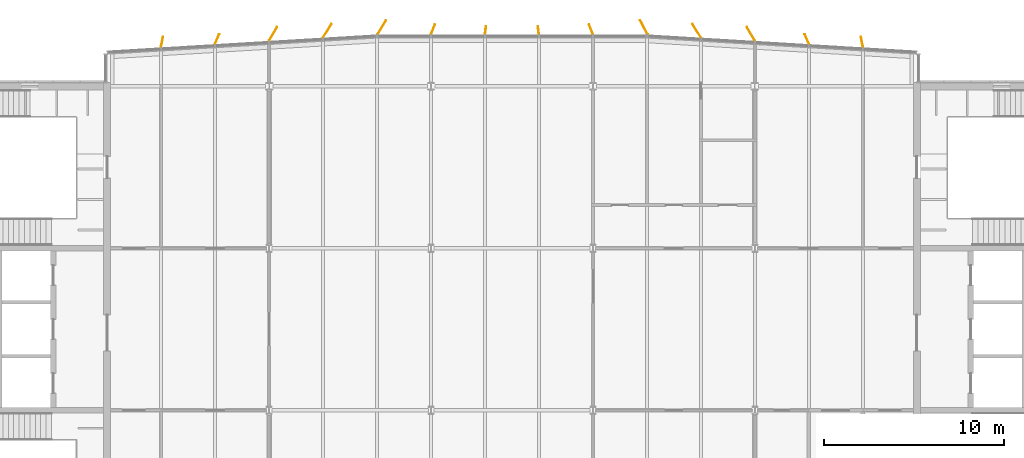
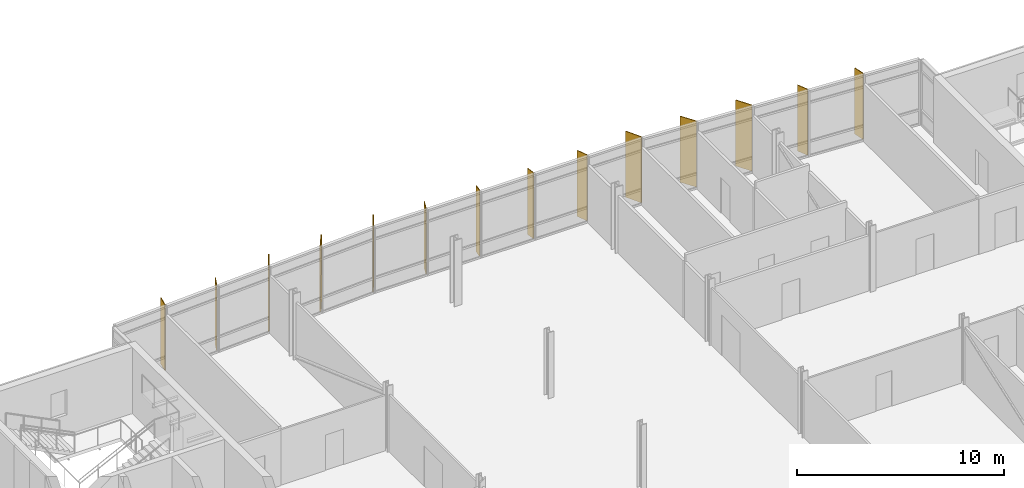
# One storey, part 18 of 18: 14 shading devices.
"""IFC4 building model written with IfcOpenShell, lengths in metres."""

import ifcopenshell
import ifcopenshell.guid

model = None  # the IFC model being written
_history = None  # IfcOwnerHistory: only IFC2X3 demands one
_inside = {}  # id of a spatial element -> (the spatial element, [elements in it])
_under = {}  # id of a project, library or spatial element -> (it, [spatial elements below it])
_declared = {}  # id of a project -> (the project, [libraries it declares])
_typed = {}  # id of a type object -> (the type object, [elements of that type])
_made_of = {}  # id of a material, layer set ... -> (it, [elements and type objects made of it])


def new_model(schema):
    """Start an empty IFC model of exactly this schema.

    Asked for "IFC4X3", IfcOpenShell would pick the latest addendum, in which some entities
    have other attributes; the version numbers below select the first issue.
    IFC2X3 requires an IfcOwnerHistory on every rooted entity: one is made here for all.
    """
    global model, _history
    if schema == "IFC4X3":
        model = ifcopenshell.file(schema_version=(4, 3, 0, 0))
    else:
        model = ifcopenshell.file(schema=schema)
    _inside.clear()
    _under.clear()
    _declared.clear()
    _typed.clear()
    _made_of.clear()
    _history = None
    if model.schema == "IFC2X3":
        org = make("IfcOrganization", Name="unknown")
        user = make(
            "IfcPersonAndOrganization",
            ThePerson=make("IfcPerson", FamilyName="unknown"),
            TheOrganization=org,
        )
        app = make(
            "IfcApplication",
            ApplicationDeveloper=org,
            Version="unknown",
            ApplicationFullName="unknown",
            ApplicationIdentifier="unknown",
        )
        _history = make(
            "IfcOwnerHistory",
            OwningUser=user,
            OwningApplication=app,
            ChangeAction="ADDED",
            CreationDate=0,
        )
    return model


def make(cls, **values):
    """One entity of the class cls with the attributes given. An attribute that is None is left unset."""
    return model.create_entity(
        cls, **{name: value for name, value in values.items() if value is not None}
    )


def rooted(cls, **values):
    """An entity with a GlobalId (a new one), such as an element, a storey or a relation."""
    return make(cls, GlobalId=ifcopenshell.guid.new(), OwnerHistory=_history, **values)


def si_unit(unit_type, name, prefix=None):
    """IfcSIUnit, for example si_unit("LENGTHUNIT", "METRE", prefix="MILLI")."""
    return make("IfcSIUnit", UnitType=unit_type, Prefix=prefix, Name=name)


def assignment(units):
    """IfcUnitAssignment: the units of a project."""
    return None if units is None else make("IfcUnitAssignment", Units=units)


def point(xyz):
    """IfcCartesianPoint."""
    return None if xyz is None else make("IfcCartesianPoint", Coordinates=xyz)


def direction(xyz):
    """IfcDirection."""
    return None if xyz is None else make("IfcDirection", DirectionRatios=xyz)


def frame(location, z_axis=None, x_axis=None):
    """IfcAxis2Placement3D, a coordinate frame: its origin and axes. An axis left out is left unset."""
    return make(
        "IfcAxis2Placement3D",
        Location=point(location),
        Axis=direction(z_axis),
        RefDirection=direction(x_axis),
    )


def frame_2d(location, x_axis=None):
    """IfcAxis2Placement2D, a coordinate frame in the plane: its origin and x axis."""
    return make(
        "IfcAxis2Placement2D", Location=point(location), RefDirection=direction(x_axis)
    )


def origin():
    """The frame at (0, 0, 0) with its axes left unset."""
    return frame((0.0, 0.0, 0.0))


def origin_2d():
    """The frame at (0, 0) in the plane with its x axis left unset."""
    return frame_2d((0.0, 0.0))


def place(relative_to, where):
    """IfcLocalPlacement: puts the frame where relative to a parent placement (None: the world)."""
    return make(
        "IfcLocalPlacement", PlacementRelTo=relative_to, RelativePlacement=where
    )


def context(
    kind, dimensions, precision=None, world=None, true_north=None, identifier=None
):
    """IfcGeometricRepresentationContext, for example the 3D "Model" context."""
    return make(
        "IfcGeometricRepresentationContext",
        ContextIdentifier=identifier,
        ContextType=kind,
        CoordinateSpaceDimension=dimensions,
        Precision=precision,
        WorldCoordinateSystem=world,
        TrueNorth=true_north,
    )


def subcontext(parent, identifier, kind, view, scale=None):
    """IfcGeometricRepresentationSubContext, for example "Body" below "Model"."""
    return make(
        "IfcGeometricRepresentationSubContext",
        ContextIdentifier=identifier,
        ContextType=kind,
        ParentContext=parent,
        TargetScale=scale,
        TargetView=view,
    )


def project(units=None, contexts=None):
    """IfcProject with its units and contexts."""
    return rooted(
        "IfcProject",
        Name="project",
        RepresentationContexts=contexts,
        UnitsInContext=assignment(units),
    )


def spatial(cls, under=None, at=None, **own):
    """A site, building, storey or space (cls), placed at a placement, below another one or the project."""
    s = rooted(cls, ObjectPlacement=at, **own)
    if under is not None:
        _under.setdefault(under.id(), (under, []))[1].append(s)
    return s


def profile(cls, at=None, kind="AREA", **sizes):
    """A parametric profile (cls). Its sizes go by their IFC names, for example OverallWidth=200.0."""
    return make(cls, ProfileType=kind, Position=at, **sizes)


def rectangle(**sizes):
    """IfcRectangleProfileDef."""
    return profile("IfcRectangleProfileDef", **sizes)


def extrude(swept, where, along, depth):
    """IfcExtrudedAreaSolid: the profile swept, set in the frame where, extruded along a direction by depth."""
    return make(
        "IfcExtrudedAreaSolid",
        SweptArea=swept,
        Position=where,
        ExtrudedDirection=direction(along),
        Depth=depth,
    )


def shape(context_of_items, identifier, shape_type, items):
    """IfcShapeRepresentation: the items that make up one representation, for example the "Body"."""
    return make(
        "IfcShapeRepresentation",
        ContextOfItems=context_of_items,
        RepresentationIdentifier=identifier,
        RepresentationType=shape_type,
        Items=items,
    )


def material(Name=None, Category=None):
    """IfcMaterial."""
    return make("IfcMaterial", Name=Name, Category=Category)


def layer(
    of_material, thickness, ventilated=None, Name=None, Category=None, Priority=None
):
    """IfcMaterialLayer: one layer of a wall or slab, of a material (None: an air gap)."""
    return make(
        "IfcMaterialLayer",
        Material=of_material,
        LayerThickness=thickness,
        IsVentilated=ventilated,
        Name=Name,
        Category=Category,
        Priority=Priority,
    )


def layer_set(layers, Name=None):
    """IfcMaterialLayerSet."""
    return make("IfcMaterialLayerSet", MaterialLayers=layers, LayerSetName=Name)


def made_of(thing, what):
    """Note that an element or type object is made of a material, layer set ...; save() writes the relation."""
    if what is not None:
        _made_of.setdefault(what.id(), (what, []))[1].append(thing)
    return thing


def type_object(cls, material=None, **own):
    """A type object (cls), such as IfcWallType, which elements share."""
    return made_of(rooted(cls, **own), material)


def element(
    cls,
    number,
    at=None,
    inside=None,
    cuts=None,
    type_object=None,
    material=None,
    context=None,
    identifier="Body",
    shape_type=None,
    held_by="IfcProductDefinitionShape",
    body=None,
    shapes=None,
    **own,
):
    """One element of the class cls, such as IfcWall. Its Tag is "e" and its number.

    at: its placement. inside: the storey or other place that contains it. cuts: it is an
    opening in that element (IfcRelVoidsElement). A single representation is given by context,
    identifier, shape_type and body (its items); several are given by shapes. held_by: the class
    of the entity that holds the representations. save() writes the other relations.
    """
    e = rooted(cls, Tag="e%d" % number, ObjectPlacement=at, **own)
    if body is not None:
        shapes = [shape(context, identifier, shape_type, body)]
    if shapes is not None:
        e.Representation = make(held_by, Representations=shapes)
    if inside is not None:
        _inside.setdefault(inside.id(), (inside, []))[1].append(e)
    if cuts is not None:
        rooted(
            "IfcRelVoidsElement", RelatingBuildingElement=cuts, RelatedOpeningElement=e
        )
    if type_object is not None:
        _typed.setdefault(type_object.id(), (type_object, []))[1].append(e)
    return made_of(e, material)


def aggregate(whole, parts):
    """IfcRelAggregates: a whole, such as a stair, and the parts it consists of."""
    return rooted("IfcRelAggregates", RelatingObject=whole, RelatedObjects=parts)


def save(model, path):
    """Write the relations noted so far, then the file.

    IfcRelAggregates (storeys below a building ...), IfcRelContainedInSpatialStructure (elements
    in a storey), IfcRelDefinesByType, IfcRelAssociatesMaterial and IfcRelDeclares: one each for
    every whole, place, type object, material and project.
    """
    for whole, parts in _under.values():
        aggregate(whole, parts)
    for where, things in _inside.values():
        rooted(
            "IfcRelContainedInSpatialStructure",
            RelatedElements=things,
            RelatingStructure=where,
        )
    for kind, things in _typed.values():
        rooted("IfcRelDefinesByType", RelatedObjects=things, RelatingType=kind)
    for what, things in _made_of.values():
        rooted("IfcRelAssociatesMaterial", RelatedObjects=things, RelatingMaterial=what)
    for by, libraries in _declared.values():
        rooted("IfcRelDeclares", RelatingContext=by, RelatedDefinitions=libraries)
    model.write(path)


model = new_model("IFC4")

# Units and contexts
model_context = context("Model", 3, precision=1e-05, world=origin(), true_north=direction((0.0, 1.0)))
body_context = subcontext(model_context, "Body", "Model", "MODEL_VIEW")
ifc_project = project(units=[si_unit("LENGTHUNIT", "METRE"), si_unit("AREAUNIT", "SQUARE_METRE"), si_unit("VOLUMEUNIT", "CUBIC_METRE"), si_unit("PLANEANGLEUNIT", "RADIAN"), si_unit("MASSUNIT", "GRAM", prefix="KILO")], contexts=[model_context])

# Site, building, storey
site_placement = place(None, origin())
site = spatial("IfcSite", under=ifc_project, at=site_placement, CompositionType="ELEMENT")
building_placement = place(site_placement, origin())
building = spatial("IfcBuilding", under=site, at=building_placement, Name="Azimuth Sports and Learning Centre", CompositionType="ELEMENT")
storey_placement = place(building_placement, frame((0.0, 0.0, 59.699951171875)))
storey = spatial("IfcBuildingStorey", under=building, at=storey_placement, Name="L13", CompositionType="ELEMENT", Elevation=59.699951171875)

# Shading devices
ifc_material_1 = material(Name="Aluminium", Category="aluminium")
ifc_layer_1 = layer(ifc_material_1, 0.0400390625)
ifc_layer_set_1 = layer_set([ifc_layer_1], Name="Aluminium")
shading_device_type_1 = type_object("IfcShadingDeviceType", Name="Shading fin 450", PredefinedType="JALOUSIE", material=ifc_layer_set_1)
for number, where, z_axis, x_axis, name in (
    (1, (86.970703125, 120.10302734375, 0.0), (0.0, 0.0, 1.0), (-0.130263528306, 0.991479406338, 0.0), "Shading fin F13-021"),
    (2, (84.029296875, 120.10302734375, 0.0), (0.0, 0.0, 1.0), (0.130263528306, 0.991479406338, 0.0), "Shading fin F13-022"),
):
    element("IfcShadingDevice", number, at=place(storey_placement, frame(where, z_axis=z_axis, x_axis=x_axis)), inside=storey, type_object=shading_device_type_1, Name=name, PredefinedType="JALOUSIE", context=body_context, shape_type="SweptSolid", body=[
        extrude(rectangle(XDim=0.449951171875, YDim=0.0400390625, at=origin_2d()), origin(), (0.0, 0.0, 1.0), 3.89990234375),
    ])
ifc_material_2 = material(Name="Aluminium", Category="aluminium")
ifc_layer_2 = layer(ifc_material_2, 0.0400390625)
ifc_layer_set_2 = layer_set([ifc_layer_2], Name="Aluminium")
shading_device_type_2 = type_object("IfcShadingDeviceType", Name="Shading fin 600", PredefinedType="JALOUSIE", material=ifc_layer_set_2)
for number, where, z_axis, x_axis, name in (
    (3, (104.952392578125, 119.453857421875, 0.0), (0.0, 0.0, 1.0), (-0.19438682666, 0.980924952084, 0.0), "Shading fin F13-015"),
    (4, (101.89208984375, 119.615234375, 0.0), (0.0, 0.0, 1.0), (-0.395859673937, 0.918311014064, 0.0), "Shading fin F13-016"),
    (5, (89.8916015625, 120.15966796875, 0.0), (0.0, 0.0, 1.0), (-0.36097797694, 0.932574340288, 0.0), "Shading fin F13-020"),
    (6, (81.1083984375, 120.15966796875, 0.0), (0.0, 0.0, 1.0), (0.36097797694, 0.932574340288, 0.0), "Shading fin F13-023"),
    (7, (69.10791015625, 119.615234375, 0.0), (0.0, 0.0, 1.0), (0.395859673937, 0.918311014064, 0.0), "Shading fin F13-027"),
    (8, (66.047607421875, 119.453857421875, 0.0), (0.0, 0.0, 1.0), (0.19438682666, 0.980924952084, 0.0), "Shading fin F13-028"),
):
    element("IfcShadingDevice", number, at=place(storey_placement, frame(where, z_axis=z_axis, x_axis=x_axis)), inside=storey, type_object=shading_device_type_2, Name=name, PredefinedType="JALOUSIE", context=body_context, shape_type="SweptSolid", body=[
        extrude(rectangle(XDim=0.60009765625, YDim=0.0400390625, at=origin_2d()), origin(), (0.0, 0.0, 1.0), 3.89990234375),
    ])
ifc_material_3 = material(Name="Aluminium", Category="aluminium")
ifc_layer_3 = layer(ifc_material_3, 0.0400390625)
ifc_layer_set_3 = layer_set([ifc_layer_3], Name="Aluminium")
shading_device_type_3 = type_object("IfcShadingDeviceType", Name="Shading fin 900", PredefinedType="JALOUSIE", material=ifc_layer_set_3)
for number, where, z_axis, x_axis, name in (
    (9, (98.7802734375, 119.90625, 0.0), (0.0, 0.0, 1.0), (-0.512109147283, 0.858920381217, 0.0), "Shading fin F13-017"),
    (10, (95.769775390625, 120.079833984375, 0.0), (0.0, 0.0, 1.0), (-0.535372471366, 0.844616076631, 0.0), "Shading fin F13-018"),
    (11, (92.831298828125, 120.276123046875, 0.0), (0.0, 0.0, 1.0), (-0.465511049865, 0.885042068183, 0.0), "Shading fin F13-019"),
    (12, (78.262939453125, 120.264892578125, 0.0), (0.0, 0.0, 1.0), (0.517682326227, 0.855572912797, 0.0), "Shading fin F13-024"),
    (13, (75.230224609375, 120.079833984375, 0.0), (0.0, 0.0, 1.0), (0.535372471366, 0.844616076631, 0.0), "Shading fin F13-025"),
    (14, (72.2197265625, 119.90625, 0.0), (0.0, 0.0, 1.0), (0.512109147283, 0.858920381217, 0.0), "Shading fin F13-026"),
):
    element("IfcShadingDevice", number, at=place(storey_placement, frame(where, z_axis=z_axis, x_axis=x_axis)), inside=storey, type_object=shading_device_type_3, Name=name, PredefinedType="JALOUSIE", context=body_context, shape_type="SweptSolid", body=[
        extrude(rectangle(XDim=0.89990234375, YDim=0.0400390625, at=origin_2d()), origin(), (0.0, 0.0, 1.0), 3.89990234375),
    ])

save(model, "model.ifc")
